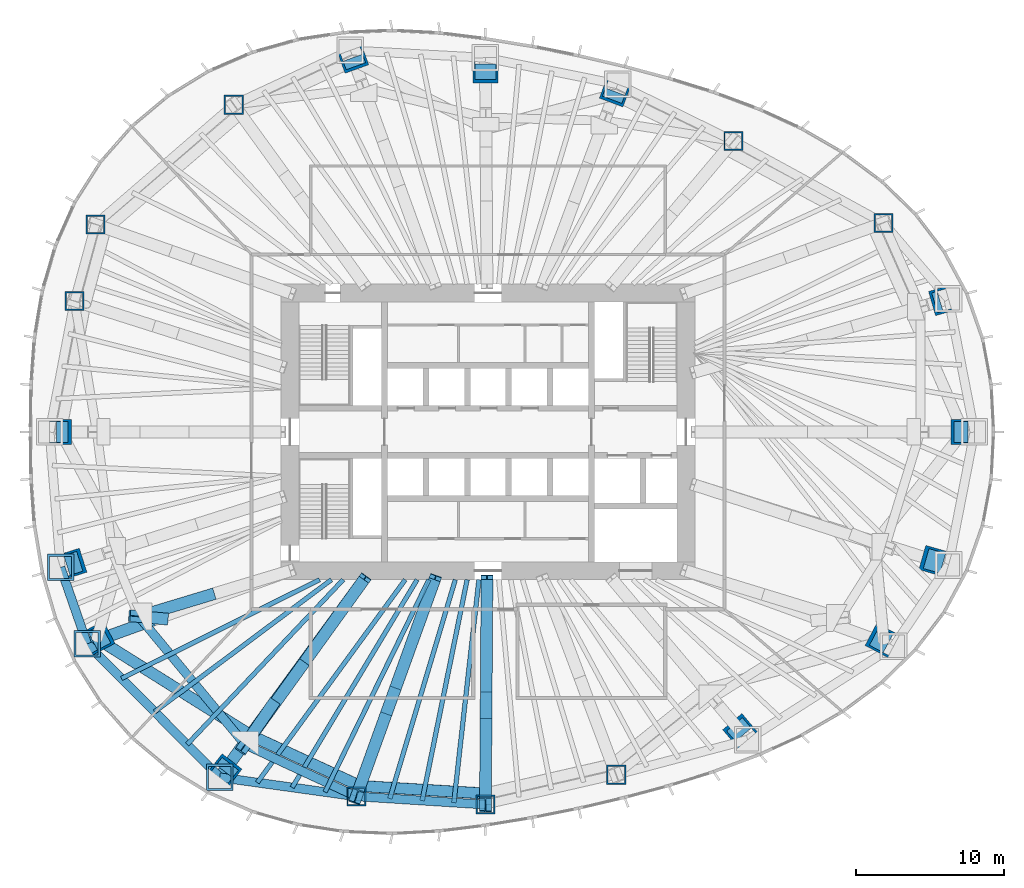
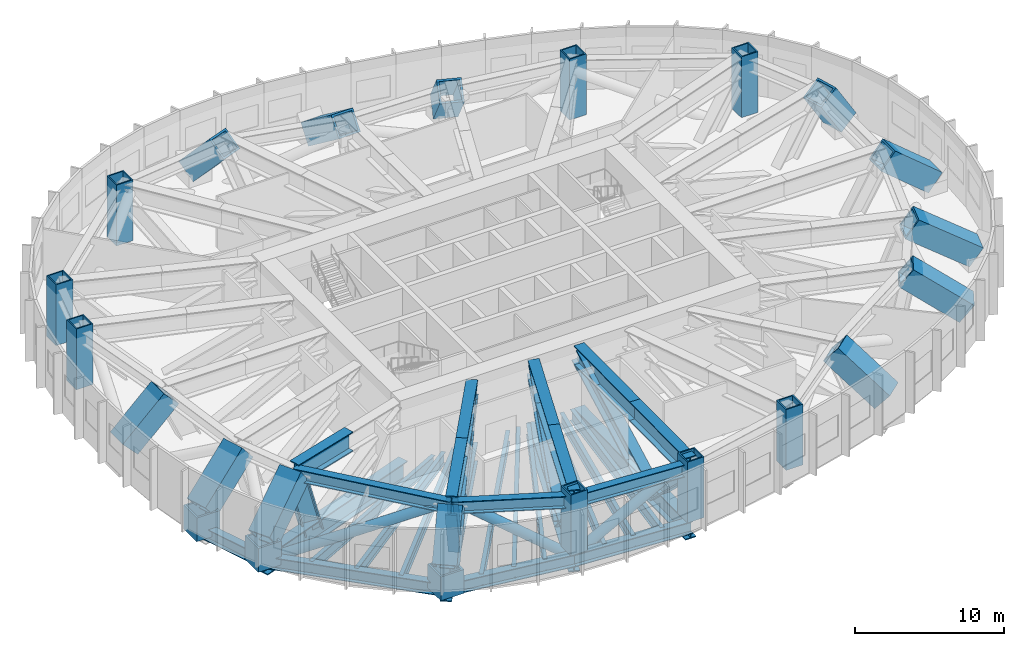
# One storey, part 1 of 12: 27 members, 20 columns, 13 beams.
"""IFC4 building model written with IfcOpenShell, lengths in metres."""

from ifc_helpers import new_model, si_unit, direction, frame, origin, origin_2d, place, context, subcontext, project, spatial, hollow_rectangle, hollow_circle, i_section, extrude, material, material_profile, profile_set, type_object, element, save


model = new_model("IFC4")

# Units and contexts
model_context = context("Model", 3, precision=1e-05, world=origin(), true_north=direction((0.0, 1.0)))
body_context = subcontext(model_context, "Body", "Model", "MODEL_VIEW")
ifc_project = project(units=[si_unit("LENGTHUNIT", "METRE"), si_unit("AREAUNIT", "SQUARE_METRE"), si_unit("VOLUMEUNIT", "CUBIC_METRE"), si_unit("PLANEANGLEUNIT", "RADIAN"), si_unit("MASSUNIT", "GRAM", prefix="KILO")], contexts=[model_context])

# Site, building, storey
site_placement = place(None, origin())
site = spatial("IfcSite", under=ifc_project, at=site_placement, CompositionType="ELEMENT")
building_placement = place(site_placement, origin())
building = spatial("IfcBuilding", under=site, at=building_placement, Name="Ghaith Harvest Tower", CompositionType="ELEMENT")
storey_placement = place(building_placement, frame((0.0, 0.0, 100.0)))
storey = spatial("IfcBuildingStorey", under=building, at=storey_placement, Name="L20", CompositionType="ELEMENT", Elevation=100.0)

# Columns
ifc_material_1 = material(Name="Steel S460M", Category="steel")
ifc_material_profile_1 = material_profile(ifc_material_1, hollow_rectangle(XDim=1.699951171875, YDim=1.699951171875, WallThickness=0.14990234375, at=origin_2d()), Name="BOX1700X1700X150")
ifc_profile_set_1 = profile_set([ifc_material_profile_1], Name="Steel S460M")
column_type_1 = type_object("IfcColumnType", Name="TS12 BOX1700X1700X150", PredefinedType="COLUMN", material=ifc_profile_set_1)
column_1_placement = place(storey_placement, frame((32.925048828125, 0.0, 0.97509765625), z_axis=(-0.76875814686, 0.0, 0.639539609122), x_axis=(0.0, -1.0, 0.0)))
element("IfcColumn", 1, at=column_1_placement, inside=storey, type_object=column_type_1, Name="Raked transfer column C01", PredefinedType="COLUMN", context=body_context, shape_type="SweptSolid", body=[
    extrude(hollow_rectangle(XDim=1.699951171875, YDim=1.699951171875, WallThickness=0.14990234375, at=origin_2d()), origin(), (0.0, 0.0, 1.0), 4.768798828125),
])
column_2_placement = place(storey_placement, frame((31.166015625, 9.008056640625, 0.97509765625), z_axis=(-0.518824773324, -0.150102791191, 0.841599671258), x_axis=(0.277915721007, -0.960605461164, 0.0)))
element("IfcColumn", 2, at=column_2_placement, inside=storey, type_object=column_type_1, Name="Raked transfer column C02", PredefinedType="COLUMN", context=body_context, shape_type="SweptSolid", body=[
    extrude(hollow_rectangle(XDim=1.699951171875, YDim=1.699951171875, WallThickness=0.14990234375, at=origin_2d()), origin(), (0.0, 0.0, 1.0), 3.623779296875),
])
column_3_placement = place(storey_placement, frame((8.794921875, 23.527099609375, 0.97509765625), z_axis=(-0.228042664144, -0.610542340425, 0.758442215253), x_axis=(0.936787780999, -0.349898061399, 0.0)))
element("IfcColumn", 3, at=column_3_placement, inside=storey, type_object=column_type_1, Name="Raked transfer column C05", PredefinedType="COLUMN", context=body_context, shape_type="SweptSolid", body=[
    extrude(hollow_rectangle(XDim=1.699951171875, YDim=1.699951171875, WallThickness=0.14990234375, at=origin_2d()), origin(), (0.0, 0.0, 1.0), 4.021240234375),
])
column_4_placement = place(storey_placement, frame((-0.173095703125, 25.326904296875, 0.97509765625), z_axis=(0.005340155289, -0.79924324158, 0.600983962789), x_axis=(0.999977679429, 0.006681365341, 0.0)))
element("IfcColumn", 4, at=column_4_placement, inside=storey, type_object=column_type_1, Name="Raked transfer column C06", PredefinedType="COLUMN", context=body_context, shape_type="SweptSolid", body=[
    extrude(hollow_rectangle(XDim=1.699951171875, YDim=1.699951171875, WallThickness=0.14990234375, at=origin_2d()), origin(), (0.0, 0.0, 1.0), 5.07470703125),
])
column_5_placement = place(storey_placement, frame((-9.325927734375, 25.821044921875, 0.97509765625), z_axis=(0.2253858334, -0.624242112964, 0.748012707448), x_axis=(0.940570711353, 0.339597904799, 0.0)))
element("IfcColumn", 5, at=column_5_placement, inside=storey, type_object=column_type_1, Name="Raked transfer column C07", PredefinedType="COLUMN", context=body_context, shape_type="SweptSolid", body=[
    extrude(hollow_rectangle(XDim=1.699951171875, YDim=1.699951171875, WallThickness=0.14990234375, at=origin_2d()), origin(), (0.0, 0.0, 1.0), 4.0771484375),
])
column_6_placement = place(storey_placement, frame((-29.675048828125, 0.0, 0.97509765625), z_axis=(0.723885707682, 0.0, 0.68991991), x_axis=(0.0, 1.0, 0.0)))
element("IfcColumn", 6, at=column_6_placement, inside=storey, type_object=column_type_1, Name="Raked transfer column C11", PredefinedType="COLUMN", context=body_context, shape_type="SweptSolid", body=[
    extrude(hollow_rectangle(XDim=1.699951171875, YDim=1.699951171875, WallThickness=0.14990234375, at=origin_2d()), origin(), (0.0, 0.0, 1.0), 4.42041015625),
])
column_7_placement = place(storey_placement, frame((-28.929931640625, -9.16796875, 0.97509765625), z_axis=(0.732778703268, 0.232158384503, 0.639638848524), x_axis=(-0.302023885363, 0.953300358056, 0.0)))
element("IfcColumn", 7, at=column_7_placement, inside=storey, type_object=column_type_1, Name="Raked transfer column C12", PredefinedType="COLUMN", context=body_context, shape_type="SweptSolid", body=[
    extrude(hollow_rectangle(XDim=1.699951171875, YDim=1.699951171875, WallThickness=0.14990234375, at=origin_2d()), origin(), (0.0, 0.0, 1.0), 4.76806640625),
])
column_8_placement = place(storey_placement, frame((-27.132080078125, -14.341064453125, 0.97509765625), z_axis=(0.700164374026, 0.370025433634, 0.610615286256), x_axis=(-0.467246674209, 0.884126996218, 0.0)))
element("IfcColumn", 8, at=column_8_placement, inside=storey, type_object=column_type_1, Name="Raked transfer column C13", PredefinedType="COLUMN", context=body_context, shape_type="SweptSolid", body=[
    extrude(hollow_rectangle(XDim=1.699951171875, YDim=1.699951171875, WallThickness=0.14990234375, at=origin_2d()), origin(), (0.0, 0.0, 1.0), 4.99462890625),
])
column_9_placement = place(storey_placement, frame((-18.157958984375, -23.3798828125, 0.97509765625), z_axis=(0.415285392571, 0.534704244996, 0.735954762945), x_axis=(-0.789778416851, 0.613392249932, 0.0)))
element("IfcColumn", 9, at=column_9_placement, inside=storey, type_object=column_type_1, Name="Raked transfer column C14", PredefinedType="COLUMN", context=body_context, shape_type="SweptSolid", body=[
    extrude(hollow_rectangle(XDim=1.699951171875, YDim=1.699951171875, WallThickness=0.14990234375, at=origin_2d()), origin(), (0.0, 0.0, 1.0), 4.14404296875),
])
column_10_placement = place(storey_placement, frame((17.572021484375, -20.8369140625, 0.97509765625), z_axis=(-0.496578366129, 0.588601629783, 0.637932635714), x_axis=(-0.764326208891, -0.644829780952, 0.0)))
element("IfcColumn", 10, at=column_10_placement, inside=storey, type_object=column_type_1, Name="Raked transfer column C18", PredefinedType="COLUMN", context=body_context, shape_type="SweptSolid", body=[
    extrude(hollow_rectangle(XDim=1.699951171875, YDim=1.699951171875, WallThickness=0.14990234375, at=origin_2d()), origin(), (0.0, 0.0, 1.0), 4.78076171875),
])
column_11_placement = place(storey_placement, frame((27.448974609375, -14.509033203125, 0.97509765625), z_axis=(-0.709241334587, 0.374884705425, 0.597024444182), x_axis=(-0.467307325584, -0.884094940295, 0.0)))
element("IfcColumn", 11, at=column_11_placement, inside=storey, type_object=column_type_1, Name="Raked transfer column C19", PredefinedType="COLUMN", context=body_context, shape_type="SweptSolid", body=[
    extrude(hollow_rectangle(XDim=1.699951171875, YDim=1.699951171875, WallThickness=0.14990234375, at=origin_2d()), origin(), (0.0, 0.0, 1.0), 5.1083984375),
])
column_12_placement = place(storey_placement, frame((31.166015625, -9.008056640625, 0.97509765625), z_axis=(-0.793185176911, 0.229366175901, 0.564135118992), x_axis=(-0.277789803973, -0.960641881665, 0.0)))
element("IfcColumn", 12, at=column_12_placement, inside=storey, type_object=column_type_1, Name="Raked transfer column C20", PredefinedType="COLUMN", context=body_context, shape_type="SweptSolid", body=[
    extrude(hollow_rectangle(XDim=1.699951171875, YDim=1.699951171875, WallThickness=0.14990234375, at=origin_2d()), origin(), (0.0, 0.0, 1.0), 5.40625),
])
ifc_material_2 = material(Name="Steel S460M", Category="steel")
ifc_material_profile_2 = material_profile(ifc_material_2, hollow_rectangle(XDim=1.300048828125, YDim=1.300048828125, WallThickness=0.10009765625, at=origin_2d()), Name="BOX1300X1300X100")
ifc_profile_set_2 = profile_set([ifc_material_profile_2], Name="Steel S460M")
column_type_2 = type_object("IfcColumnType", Name="TS5 BOX1300X1300X100", PredefinedType="COLUMN", material=ifc_profile_set_2)
for number, where, z_axis, x_axis, name in (
    (13, (26.763916015625, 14.14697265625, 0.0), (0.0, 0.0, 1.0), (1.0, 0.0, 0.0), "Perimeter column C03"),
    (14, (16.60791015625, 19.695068359375, 0.0), (0.0, 0.0, 1.0), (1.0, 0.0, 0.0), "Perimeter column C04"),
    (15, (-17.201904296875, 22.14990234375, 0.0), (0.0, 0.0, 1.0), (1.0, 0.0, 0.0), "Perimeter column C08"),
    (16, (-26.572998046875, 14.0458984375, 0.0), (0.0, 0.0, 1.0), (1.0, 0.0, 0.0), "Perimeter column C09"),
    (17, (-27.98291015625, 8.867919921875, 0.0), (0.0, 0.0, 1.0), (1.0, 0.0, 0.0), "Perimeter column C10"),
    (18, (-8.908935546875, -24.66796875, 0.0), (0.0, 0.0, 1.0), (1.0, 0.0, 0.0), "Perimeter column C15"),
    (19, (-0.173095703125, -25.22412109375, 0.0), (0.0, 0.0, 1.0), (1.0, 0.0, 0.0), "Perimeter column C16"),
    (20, (8.674072265625, -23.202880859375, 0.0), (0.0, 0.0, 1.0), (1.0, 0.0, 0.0), "Perimeter column C17"),
):
    element("IfcColumn", number, at=place(storey_placement, frame(where, z_axis=z_axis, x_axis=x_axis)), inside=storey, type_object=column_type_2, Name=name, PredefinedType="COLUMN", context=body_context, shape_type="SweptSolid", body=[
        extrude(hollow_rectangle(XDim=1.300048828125, YDim=1.300048828125, WallThickness=0.10009765625, at=origin_2d()), origin(), (0.0, 0.0, 1.0), 5.0),
    ])

# Members
ifc_material_3 = material(Name="Steel S460", Category="steel")
ifc_material_profile_3 = material_profile(ifc_material_3, i_section(OverallWidth=0.60009765625, OverallDepth=1.0, WebThickness=0.02490234375, FlangeThickness=0.050048828125, at=origin_2d()), Name="PG1000X600X25X50")
ifc_profile_set_3 = profile_set([ifc_material_profile_3], Name="Steel S460")
member_type_1 = type_object("IfcMemberType", Name="BCPG1000-600-25-50 PG1000X600X25X50", PredefinedType="CHORD", material=ifc_profile_set_3)
member_1_placement = place(storey_placement, frame((-23.635009765625, -12.492919921875, 4.030029296875), z_axis=(0.638719320052, -0.769439815835, 0.0), x_axis=(0.769439815835, 0.638719320052, 0.0)))
element("IfcMember", 21, at=member_1_placement, inside=storey, type_object=member_type_1, Name="Belt truss BT13 top chord", PredefinedType="CHORD", context=body_context, shape_type="SweptSolid", body=[
    extrude(i_section(OverallWidth=0.60009765625, OverallDepth=1.0, WebThickness=0.02490234375, FlangeThickness=0.050048828125, at=origin_2d()), origin(), (0.0, 0.0, 1.0), 11.26953125),
])
member_2_placement = place(storey_placement, frame((-16.43701171875, -21.1640625, 4.030029296875), z_axis=(0.906607079462, -0.421975832802, 0.0), x_axis=(0.421975832802, 0.906607079462, 0.0)))
element("IfcMember", 22, at=member_2_placement, inside=storey, type_object=member_type_1, Name="Belt truss BT14 top chord", PredefinedType="CHORD", context=body_context, shape_type="SweptSolid", body=[
    extrude(i_section(OverallWidth=0.60009765625, OverallDepth=1.0, WebThickness=0.02490234375, FlangeThickness=0.050048828125, at=origin_2d()), origin(), (0.0, 0.0, 1.0), 8.303466796875),
])
member_3_placement = place(storey_placement, frame((-8.908935546875, -24.66796875, 4.030029296875), z_axis=(0.99797963184, -0.063534671101, 0.0), x_axis=(0.063534671101, 0.99797963184, 0.0)))
element("IfcMember", 23, at=member_3_placement, inside=storey, type_object=member_type_1, Name="Belt truss BT15 top chord", PredefinedType="CHORD", context=body_context, shape_type="SweptSolid", body=[
    extrude(i_section(OverallWidth=0.60009765625, OverallDepth=1.0, WebThickness=0.02490234375, FlangeThickness=0.050048828125, at=origin_2d()), origin(), (0.0, 0.0, 1.0), 8.75341796875),
])
ifc_material_4 = material(Name="Steel ASTM A992 Grade 50", Category="steel")
ifc_material_profile_4 = material_profile(ifc_material_4, hollow_circle(Radius=0.381103515625, WallThickness=0.01904296875, at=origin_2d()), Name="HSS762X19.1")
ifc_profile_set_4 = profile_set([ifc_material_profile_4], Name="Steel ASTM A992 Grade 50")
member_type_2 = type_object("IfcMemberType", Name="BD762 HSS762X19.1", PredefinedType="BRACE", material=ifc_profile_set_4)
member_4_placement = place(storey_placement, frame((-26.468994140625, -13.990478515625, -1.10009765625), z_axis=(0.782648409826, -0.490933174722, 0.382682746612), x_axis=(0.53138207581, 0.847132273915, 0.0)))
element("IfcMember", 24, at=member_4_placement, inside=storey, type_object=member_type_2, Name="Belt truss BT13 diagonal", PredefinedType="BRACE", context=body_context, shape_type="SweptSolid", body=[
    extrude(hollow_circle(Radius=0.381103515625, WallThickness=0.01904296875, at=origin_2d()), origin(), (0.0, 0.0, 1.0), 13.40576171875),
])
member_5_placement = place(storey_placement, frame((-15.97705078125, -20.57177734375, 4.030029296875), z_axis=(0.765788593484, -0.354605513599, -0.536491155393), x_axis=(0.420195540334, 0.90743358318, 0.0)))
element("IfcMember", 25, at=member_5_placement, inside=storey, type_object=member_type_2, Name="Belt truss BT14 diagonal", PredefinedType="BRACE", context=body_context, shape_type="SweptSolid", body=[
    extrude(hollow_circle(Radius=0.381103515625, WallThickness=0.01904296875, at=origin_2d()), origin(), (0.0, 0.0, 1.0), 9.562255859375),
])
member_6_placement = place(storey_placement, frame((-8.654296875, -23.962646484375, -1.10009765625), z_axis=(0.854646868094, -0.051509930629, 0.516648292269), x_axis=(0.060161256217, 0.998188671169, 0.0)))
element("IfcMember", 26, at=member_6_placement, inside=storey, type_object=member_type_2, Name="Belt truss BT15 diagonal", PredefinedType="BRACE", context=body_context, shape_type="SweptSolid", body=[
    extrude(hollow_circle(Radius=0.381103515625, WallThickness=0.01904296875, at=origin_2d()), origin(), (0.0, 0.0, 1.0), 9.9296875),
])

# Beams
ifc_material_5 = material(Name="Steel S460", Category="steel")
ifc_material_profile_5 = material_profile(ifc_material_5, i_section(OverallWidth=0.60009765625, OverallDepth=1.0, WebThickness=0.02490234375, FlangeThickness=0.050048828125, at=origin_2d()), Name="PG1000X600X25X50")
ifc_profile_set_5 = profile_set([ifc_material_profile_5], Name="Steel S460")
beam_type_1 = type_object("IfcBeamType", Name="EPG1000 PG1000X600X25X50", PredefinedType="SPANDREL", material=ifc_profile_set_5)
beam_1_placement = place(storey_placement, frame((-28.929931640625, -9.16796875, -0.800048828125), z_axis=(0.328278550319, -0.944580961803, 0.0), x_axis=(0.944580961803, 0.328278550319, 0.0)))
element("IfcBeam", 27, at=beam_1_placement, inside=storey, type_object=beam_type_1, Name="Edge beam E12 L20", PredefinedType="SPANDREL", context=body_context, shape_type="SweptSolid", body=[
    extrude(i_section(OverallWidth=0.60009765625, OverallDepth=1.0, WebThickness=0.02490234375, FlangeThickness=0.050048828125, at=origin_2d()), origin(), (0.0, 0.0, 1.0), 5.4765625),
])
beam_2_placement = place(storey_placement, frame((-27.132080078125, -14.341064453125, -0.800048828125), z_axis=(0.704562513714, -0.709641926798, 0.0), x_axis=(0.709641926798, 0.704562513714, 0.0)))
element("IfcBeam", 28, at=beam_2_placement, inside=storey, type_object=beam_type_1, Name="Edge beam E13 L20", PredefinedType="SPANDREL", context=body_context, shape_type="SweptSolid", body=[
    extrude(i_section(OverallWidth=0.60009765625, OverallDepth=1.0, WebThickness=0.02490234375, FlangeThickness=0.050048828125, at=origin_2d()), origin(), (0.0, 0.0, 1.0), 12.737060546875),
])
beam_3_placement = place(storey_placement, frame((-18.157958984375, -23.3798828125, -0.800048828125), z_axis=(0.990441143901, -0.137936001352, 0.0), x_axis=(0.137936001352, 0.990441143901, 0.0)))
element("IfcBeam", 29, at=beam_3_placement, inside=storey, type_object=beam_type_1, Name="Edge beam E14 L20", PredefinedType="SPANDREL", context=body_context, shape_type="SweptSolid", body=[
    extrude(i_section(OverallWidth=0.60009765625, OverallDepth=1.0, WebThickness=0.02490234375, FlangeThickness=0.050048828125, at=origin_2d()), origin(), (0.0, 0.0, 1.0), 9.33837890625),
])
beam_4_placement = place(storey_placement, frame((-8.908935546875, -24.66796875, -0.800048828125), z_axis=(0.99797963184, -0.063534671101, 0.0), x_axis=(0.063534671101, 0.99797963184, 0.0)))
element("IfcBeam", 30, at=beam_4_placement, inside=storey, type_object=beam_type_1, Name="Edge beam E15 L20", PredefinedType="SPANDREL", context=body_context, shape_type="SweptSolid", body=[
    extrude(i_section(OverallWidth=0.60009765625, OverallDepth=1.0, WebThickness=0.02490234375, FlangeThickness=0.050048828125, at=origin_2d()), origin(), (0.0, 0.0, 1.0), 8.75341796875),
])
ifc_material_6 = material(Name="Steel ASTM A992 Grade 50", Category="steel")
ifc_material_profile_6 = material_profile(ifc_material_6, i_section(OverallWidth=0.31005859375, OverallDepth=0.927001953125, WebThickness=0.019287109375, FlangeThickness=0.031982421875, at=origin_2d()), Name="W920X289")
ifc_profile_set_6 = profile_set([ifc_material_profile_6], Name="Steel ASTM A992 Grade 50")
beam_type_2 = type_object("IfcBeamType", Name="J920-289 W920X289", PredefinedType="JOIST", material=ifc_profile_set_6)
beam_5_placement = place(storey_placement, frame((-11.39990234375, -10.0, -0.763427734375), z_axis=(-0.894746445211, -0.446574516495, 0.0), x_axis=(0.446574516495, -0.894746445211, 0.0)))
element("IfcBeam", 31, at=beam_5_placement, inside=storey, type_object=beam_type_2, Name="Joist J13.1 L20", PredefinedType="JOIST", context=body_context, shape_type="SweptSolid", body=[
    extrude(i_section(OverallWidth=0.31005859375, OverallDepth=0.927001953125, WebThickness=0.019287109375, FlangeThickness=0.031982421875, at=origin_2d()), origin(), (0.0, 0.0, 1.0), 14.977783203125),
])
beam_6_placement = place(storey_placement, frame((-10.60009765625, -10.0, -0.763427734375), z_axis=(-0.800995319048, -0.598670609653, 0.0), x_axis=(0.598670609653, -0.800995319048, 0.0)))
element("IfcBeam", 32, at=beam_6_placement, inside=storey, type_object=beam_type_2, Name="Joist J13.2 L20", PredefinedType="JOIST", context=body_context, shape_type="SweptSolid", body=[
    extrude(i_section(OverallWidth=0.31005859375, OverallDepth=0.927001953125, WebThickness=0.019287109375, FlangeThickness=0.031982421875, at=origin_2d()), origin(), (0.0, 0.0, 1.0), 14.936279296875),
])
beam_7_placement = place(storey_placement, frame((-1.411865234375, -10.0, -0.763427734375), z_axis=(-0.199496654065, -0.979898507508, 0.0), x_axis=(0.979898507508, -0.199496654065, 0.0)))
element("IfcBeam", 33, at=beam_7_placement, inside=storey, type_object=beam_type_2, Name="Joist J15.2 L20", PredefinedType="JOIST", context=body_context, shape_type="SweptSolid", body=[
    extrude(i_section(OverallWidth=0.31005859375, OverallDepth=0.927001953125, WebThickness=0.019287109375, FlangeThickness=0.031982421875, at=origin_2d()), origin(), (0.0, 0.0, 1.0), 15.258056640625),
])
beam_8_placement = place(storey_placement, frame((-0.61181640625, -10.0, -0.763427734375), z_axis=(-0.111786833643, -0.993732209312, 0.0), x_axis=(0.993732209312, -0.111786833643, 0.0)))
element("IfcBeam", 34, at=beam_8_placement, inside=storey, type_object=beam_type_2, Name="Joist J15.3 L20", PredefinedType="JOIST", context=body_context, shape_type="SweptSolid", body=[
    extrude(i_section(OverallWidth=0.31005859375, OverallDepth=0.927001953125, WebThickness=0.019287109375, FlangeThickness=0.031982421875, at=origin_2d()), origin(), (0.0, 0.0, 1.0), 15.18310546875),
])
ifc_material_7 = material(Name="Steel ASTM A992 Grade 50", Category="steel")
ifc_material_profile_7 = material_profile(ifc_material_7, i_section(OverallWidth=0.306884765625, OverallDepth=0.94189453125, WebThickness=0.022216796875, FlangeThickness=0.039794921875, at=origin_2d()), Name="W920X345")
ifc_profile_set_7 = profile_set([ifc_material_profile_7], Name="Steel ASTM A992 Grade 50")
beam_type_3 = type_object("IfcBeamType", Name="J920-345 W920X345", PredefinedType="JOIST", material=ifc_profile_set_7)
beam_9_placement = place(storey_placement, frame((-9.800048828125, -10.0, -0.77099609375), z_axis=(-0.687660466327, -0.726032425619, 0.0), x_axis=(0.726032425619, -0.687660466327, 0.0)))
element("IfcBeam", 35, at=beam_9_placement, inside=storey, type_object=beam_type_3, Name="Joist J13.3 L20", PredefinedType="JOIST", context=body_context, shape_type="SweptSolid", body=[
    extrude(i_section(OverallWidth=0.306884765625, OverallDepth=0.94189453125, WebThickness=0.022216796875, FlangeThickness=0.039794921875, at=origin_2d()), origin(), (0.0, 0.0, 1.0), 15.365478515625),
])
beam_10_placement = place(storey_placement, frame((-5.60009765625, -10.0, -0.77099609375), z_axis=(-0.589160240072, -0.808016219836, 0.0), x_axis=(0.808016219836, -0.589160240072, 0.0)))
element("IfcBeam", 36, at=beam_10_placement, inside=storey, type_object=beam_type_3, Name="Joist J14.1 L20", PredefinedType="JOIST", context=body_context, shape_type="SweptSolid", body=[
    extrude(i_section(OverallWidth=0.306884765625, OverallDepth=0.94189453125, WebThickness=0.022216796875, FlangeThickness=0.039794921875, at=origin_2d()), origin(), (0.0, 0.0, 1.0), 16.997314453125),
])
beam_11_placement = place(storey_placement, frame((-4.800048828125, -10.0, -0.77099609375), z_axis=(-0.515226384897, -0.85705412449, 0.0), x_axis=(0.85705412449, -0.515226384897, 0.0)))
element("IfcBeam", 37, at=beam_11_placement, inside=storey, type_object=beam_type_3, Name="Joist J14.2 L20", PredefinedType="JOIST", context=body_context, shape_type="SweptSolid", body=[
    extrude(i_section(OverallWidth=0.306884765625, OverallDepth=0.94189453125, WebThickness=0.022216796875, FlangeThickness=0.039794921875, at=origin_2d()), origin(), (0.0, 0.0, 1.0), 16.408447265625),
])
beam_12_placement = place(storey_placement, frame((-4.0, -10.0, -0.77099609375), z_axis=(-0.439463806704, -0.898260297797, 0.0), x_axis=(0.898260297797, -0.439463806704, 0.0)))
element("IfcBeam", 38, at=beam_12_placement, inside=storey, type_object=beam_type_3, Name="Joist J14.3 L20", PredefinedType="JOIST", context=body_context, shape_type="SweptSolid", body=[
    extrude(i_section(OverallWidth=0.306884765625, OverallDepth=0.94189453125, WebThickness=0.022216796875, FlangeThickness=0.039794921875, at=origin_2d()), origin(), (0.0, 0.0, 1.0), 16.000244140625),
])
beam_13_placement = place(storey_placement, frame((-2.2119140625, -10.0, -0.77099609375), z_axis=(-0.286710402159, -0.958017299058, 0.0), x_axis=(0.958017299058, -0.286710402159, 0.0)))
element("IfcBeam", 39, at=beam_13_placement, inside=storey, type_object=beam_type_3, Name="Joist J15.1 L20", PredefinedType="JOIST", context=body_context, shape_type="SweptSolid", body=[
    extrude(i_section(OverallWidth=0.306884765625, OverallDepth=0.94189453125, WebThickness=0.022216796875, FlangeThickness=0.039794921875, at=origin_2d()), origin(), (0.0, 0.0, 1.0), 15.461181640625),
])

# Members
ifc_material_8 = material(Name="Steel S690QL", Category="steel")
ifc_material_profile_8 = material_profile(ifc_material_8, hollow_rectangle(XDim=1.800048828125, YDim=1.800048828125, WallThickness=0.14990234375, at=origin_2d()), Name="BOX1800X1800X150")
ifc_profile_set_8 = profile_set([ifc_material_profile_8], Name="Steel S690QL")
member_type_3 = type_object("IfcMemberType", Name="KN3 BOX1800X1800X150", PredefinedType="USERDEFINED", material=ifc_profile_set_8)
for number, where, z_axis, x_axis, name in (
    (40, (-28.929931640625, -9.16796875, -0.97509765625), (0.0, 0.0, 1.0), (1.0, 0.0, 0.0), "Raked column kink node C12 base L20"),
    (41, (-27.132080078125, -14.341064453125, -0.97509765625), (0.0, 0.0, 1.0), (1.0, 0.0, 0.0), "Raked column kink node C13 base L20"),
    (42, (-18.157958984375, -23.3798828125, -0.97509765625), (0.0, 0.0, 1.0), (1.0, 0.0, 0.0), "Raked column kink node C14 base L20"),
):
    element("IfcMember", number, at=place(storey_placement, frame(where, z_axis=z_axis, x_axis=x_axis)), inside=storey, type_object=member_type_3, Name=name, ObjectType="KINK NODE", PredefinedType="USERDEFINED", context=body_context, shape_type="SweptSolid", body=[
        extrude(hollow_rectangle(XDim=1.800048828125, YDim=1.800048828125, WallThickness=0.14990234375, at=origin_2d()), origin(), (0.0, 0.0, 1.0), 1.9501953125),
    ])
ifc_material_9 = material(Name="Steel S460", Category="steel")
ifc_material_profile_9 = material_profile(ifc_material_9, i_section(OverallWidth=0.800048828125, OverallDepth=1.60009765625, WebThickness=0.0400390625, FlangeThickness=0.080078125, at=origin_2d()), Name="PG1600X800X40X80")
ifc_profile_set_9 = profile_set([ifc_material_profile_9], Name="Steel S460")
member_type_4 = type_object("IfcMemberType", Name="OC1600 PG1600X800X40X80", PredefinedType="CHORD", material=ifc_profile_set_9)
member_7_placement = place(storey_placement, frame((-13.39990234375, -9.39990234375, -1.10009765625), z_axis=(-0.940940287796, -0.338572554709, 0.0), x_axis=(0.338572554709, -0.940940287796, 0.0)))
element("IfcMember", 43, at=member_7_placement, inside=storey, type_object=member_type_4, Name="Outrigger truss OT13 bottom chord", PredefinedType="CHORD", context=body_context, shape_type="SweptSolid", body=[
    extrude(i_section(OverallWidth=0.800048828125, OverallDepth=1.60009765625, WebThickness=0.0400390625, FlangeThickness=0.080078125, at=origin_2d()), origin(), (0.0, 0.0, 1.0), 14.593994140625),
])
member_8_placement = place(storey_placement, frame((-18.517578125, -10.946533203125, 4.030029296875), z_axis=(-0.957249958378, -0.289262021677, 0.0), x_axis=(0.289262021677, -0.957249958378, 0.0)))
element("IfcMember", 44, at=member_8_placement, inside=storey, type_object=member_type_4, Name="Outrigger truss OT13 top chord 2", PredefinedType="CHORD", context=body_context, shape_type="SweptSolid", body=[
    extrude(i_section(OverallWidth=0.800048828125, OverallDepth=1.60009765625, WebThickness=0.0400390625, FlangeThickness=0.080078125, at=origin_2d()), origin(), (0.0, 0.0, 1.0), 5.345947265625),
])
member_9_placement = place(storey_placement, frame((-8.39990234375, -10.0, -1.10009765625), z_axis=(-0.589246749374, -0.807953134997, 0.0), x_axis=(0.807953134997, -0.589246749374, 0.0)))
element("IfcMember", 45, at=member_9_placement, inside=storey, type_object=member_type_4, Name="Outrigger truss OT14 bottom chord", PredefinedType="CHORD", context=body_context, shape_type="SweptSolid", body=[
    extrude(i_section(OverallWidth=0.800048828125, OverallDepth=1.60009765625, WebThickness=0.0400390625, FlangeThickness=0.080078125, at=origin_2d()), origin(), (0.0, 0.0, 1.0), 16.560302734375),
])
for number, where, z_axis, x_axis, name in (
    (46, (-8.39990234375, -10.0, 4.030029296875), (-0.584256100809, -0.811569349265, 0.0), (0.811569349265, -0.584256100809, 0.0), "Outrigger truss OT14 top chord 1"),
    (47, (-12.41845703125, -15.58203125, 4.030029296875), (-0.584256100809, -0.811569349265, 0.0), (0.811569349265, -0.584256100809, 0.0), "Outrigger truss OT14 top chord 2"),
):
    element("IfcMember", number, at=place(storey_placement, frame(where, z_axis=z_axis, x_axis=x_axis)), inside=storey, type_object=member_type_4, Name=name, PredefinedType="CHORD", context=body_context, shape_type="SweptSolid", body=[
        extrude(i_section(OverallWidth=0.800048828125, OverallDepth=1.60009765625, WebThickness=0.0400390625, FlangeThickness=0.080078125, at=origin_2d()), origin(), (0.0, 0.0, 1.0), 6.878173828125),
    ])
member_10_placement = place(storey_placement, frame((-3.61181640625, -10.0, -1.10009765625), z_axis=(-0.339664467784, -0.940546675782, 0.0), x_axis=(0.940546675782, -0.339664467784, 0.0)))
element("IfcMember", 48, at=member_10_placement, inside=storey, type_object=member_type_4, Name="Outrigger truss OT15 bottom chord", PredefinedType="CHORD", context=body_context, shape_type="SweptSolid", body=[
    extrude(i_section(OverallWidth=0.800048828125, OverallDepth=1.60009765625, WebThickness=0.0400390625, FlangeThickness=0.080078125, at=origin_2d()), origin(), (0.0, 0.0, 1.0), 15.59521484375),
])
for number, where, z_axis, x_axis, name in (
    (49, (-3.61181640625, -10.0, 4.030029296875), (-0.339678316441, -0.94054167443, 0.0), (0.94054167443, -0.339678316441, 0.0), "Outrigger truss OT15 top chord 1"),
    (50, (-6.260498046875, -17.333984375, 4.030029296875), (-0.339650618905, -0.940551676984, 0.0), (0.940551676984, -0.339650618905, 0.0), "Outrigger truss OT15 top chord 2"),
):
    element("IfcMember", number, at=place(storey_placement, frame(where, z_axis=z_axis, x_axis=x_axis)), inside=storey, type_object=member_type_4, Name=name, PredefinedType="CHORD", context=body_context, shape_type="SweptSolid", body=[
        extrude(i_section(OverallWidth=0.800048828125, OverallDepth=1.60009765625, WebThickness=0.0400390625, FlangeThickness=0.080078125, at=origin_2d()), origin(), (0.0, 0.0, 1.0), 7.797607421875),
    ])
member_11_placement = place(storey_placement, frame((-0.068359375, -10.0, -1.10009765625), z_axis=(-0.006879467722, -0.999976336182, 0.0), x_axis=(0.999976336182, -0.006879467722, 0.0)))
element("IfcMember", 51, at=member_11_placement, inside=storey, type_object=member_type_4, Name="Outrigger truss OT16 bottom chord", PredefinedType="CHORD", context=body_context, shape_type="SweptSolid", body=[
    extrude(i_section(OverallWidth=0.800048828125, OverallDepth=1.60009765625, WebThickness=0.0400390625, FlangeThickness=0.080078125, at=origin_2d()), origin(), (0.0, 0.0, 1.0), 15.224365234375),
])
for number, where, z_axis, x_axis, name in (
    (52, (-0.068359375, -10.0, 4.030029296875), (-0.006863432423, -0.99997644637, 0.0), (0.99997644637, -0.006863432423, 0.0), "Outrigger truss OT16 top chord 1"),
    (53, (-0.12060546875, -17.612060546875, 4.030029296875), (-0.006895503016, -0.999976225736, 0.0), (0.999976225736, -0.006895503016, 0.0), "Outrigger truss OT16 top chord 2"),
):
    element("IfcMember", number, at=place(storey_placement, frame(where, z_axis=z_axis, x_axis=x_axis)), inside=storey, type_object=member_type_4, Name=name, PredefinedType="CHORD", context=body_context, shape_type="SweptSolid", body=[
        extrude(i_section(OverallWidth=0.800048828125, OverallDepth=1.60009765625, WebThickness=0.0400390625, FlangeThickness=0.080078125, at=origin_2d()), origin(), (0.0, 0.0, 1.0), 7.6123046875),
    ])
ifc_material_10 = material(Name="Steel S460", Category="steel")
ifc_material_profile_10 = material_profile(ifc_material_10, i_section(OverallWidth=0.800048828125, OverallDepth=1.39990234375, WebThickness=0.050048828125, FlangeThickness=0.10009765625, at=origin_2d()), Name="PG1400X800X50X100")
ifc_profile_set_10 = profile_set([ifc_material_profile_10], Name="Steel S460")
member_type_5 = type_object("IfcMemberType", Name="OD1400 PG1400X800X50X100", PredefinedType="BRACE", material=ifc_profile_set_10)
member_12_placement = place(storey_placement, frame((-22.32568359375, -12.611572265625, -1.10009765625), z_axis=(-0.247233669676, 0.022404542879, 0.968696830302), x_axis=(-0.090251100978, -0.995919042278, 0.0)))
element("IfcMember", 54, at=member_12_placement, inside=storey, type_object=member_type_5, Name="Outrigger truss OT13 diagonal 2", PredefinedType="BRACE", context=body_context, shape_type="SweptSolid", body=[
    extrude(i_section(OverallWidth=0.800048828125, OverallDepth=1.39990234375, WebThickness=0.050048828125, FlangeThickness=0.10009765625, at=origin_2d()), origin(), (0.0, 0.0, 1.0), 5.2958984375),
])
member_13_placement = place(storey_placement, frame((-8.39990234375, -10.0, 4.030029296875), z_axis=(-0.531923293102, -0.729357331416, -0.430227257812), x_axis=(0.80795466531, -0.589244651061, 0.0)))
element("IfcMember", 55, at=member_13_placement, inside=storey, type_object=member_type_5, Name="Outrigger truss OT14 diagonal 1", PredefinedType="BRACE", context=body_context, shape_type="SweptSolid", body=[
    extrude(i_section(OverallWidth=0.800048828125, OverallDepth=1.39990234375, WebThickness=0.050048828125, FlangeThickness=0.10009765625, at=origin_2d()), origin(), (0.0, 0.0, 1.0), 11.92431640625),
])
member_14_placement = place(storey_placement, frame((-14.74267578125, -18.697021484375, -1.10009765625), z_axis=(-0.28527542451, -0.415375816235, 0.863759725536), x_axis=(0.824315547904, -0.566130618748, 0.0)))
element("IfcMember", 56, at=member_14_placement, inside=storey, type_object=member_type_5, Name="Outrigger truss OT14 diagonal 2", PredefinedType="BRACE", context=body_context, shape_type="SweptSolid", body=[
    extrude(i_section(OverallWidth=0.800048828125, OverallDepth=1.39990234375, WebThickness=0.050048828125, FlangeThickness=0.10009765625, at=origin_2d()), origin(), (0.0, 0.0, 1.0), 5.939208984375),
])
member_15_placement = place(storey_placement, frame((-3.61181640625, -10.0, 4.030029296875), z_axis=(-0.303062683081, -0.839197610414, -0.45155329785), x_axis=(0.940547060495, -0.339663402493, 0.0)))
element("IfcMember", 57, at=member_15_placement, inside=storey, type_object=member_type_5, Name="Outrigger truss OT15 diagonal 1", PredefinedType="BRACE", context=body_context, shape_type="SweptSolid", body=[
    extrude(i_section(OverallWidth=0.800048828125, OverallDepth=1.39990234375, WebThickness=0.050048828125, FlangeThickness=0.10009765625, at=origin_2d()), origin(), (0.0, 0.0, 1.0), 11.361083984375),
])
member_16_placement = place(storey_placement, frame((-7.054931640625, -19.5341796875, -1.10009765625), z_axis=(-0.247505805274, -0.685350549552, 0.684861665291), x_axis=(0.940545961313, -0.339666446177, 0.0)))
element("IfcMember", 58, at=member_16_placement, inside=storey, type_object=member_type_5, Name="Outrigger truss OT15 diagonal 2", PredefinedType="BRACE", context=body_context, shape_type="SweptSolid", body=[
    extrude(i_section(OverallWidth=0.800048828125, OverallDepth=1.39990234375, WebThickness=0.050048828125, FlangeThickness=0.10009765625, at=origin_2d()), origin(), (0.0, 0.0, 1.0), 7.49072265625),
])
member_17_placement = place(storey_placement, frame((-0.068359375, -10.0, 4.030029296875), z_axis=(-0.006110921259, -0.887770109149, -0.460246553428), x_axis=(0.999976309899, -0.006883287044, 0.0)))
element("IfcMember", 59, at=member_17_placement, inside=storey, type_object=member_type_5, Name="Outrigger truss OT16 diagonal 1", PredefinedType="BRACE", context=body_context, shape_type="SweptSolid", body=[
    extrude(i_section(OverallWidth=0.800048828125, OverallDepth=1.39990234375, WebThickness=0.050048828125, FlangeThickness=0.10009765625, at=origin_2d()), origin(), (0.0, 0.0, 1.0), 11.146484375),
])
member_18_placement = place(storey_placement, frame((-0.136474609375, -19.8955078125, -1.10009765625), z_axis=(-0.00495089157, -0.72038772934, 0.693553897032), x_axis=(0.999976384952, -0.006872375045, 0.0)))
element("IfcMember", 60, at=member_18_placement, inside=storey, type_object=member_type_5, Name="Outrigger truss OT16 diagonal 2", PredefinedType="BRACE", context=body_context, shape_type="SweptSolid", body=[
    extrude(i_section(OverallWidth=0.800048828125, OverallDepth=1.39990234375, WebThickness=0.050048828125, FlangeThickness=0.10009765625, at=origin_2d()), origin(), (0.0, 0.0, 1.0), 7.39697265625),
])

save(model, "model.ifc")
